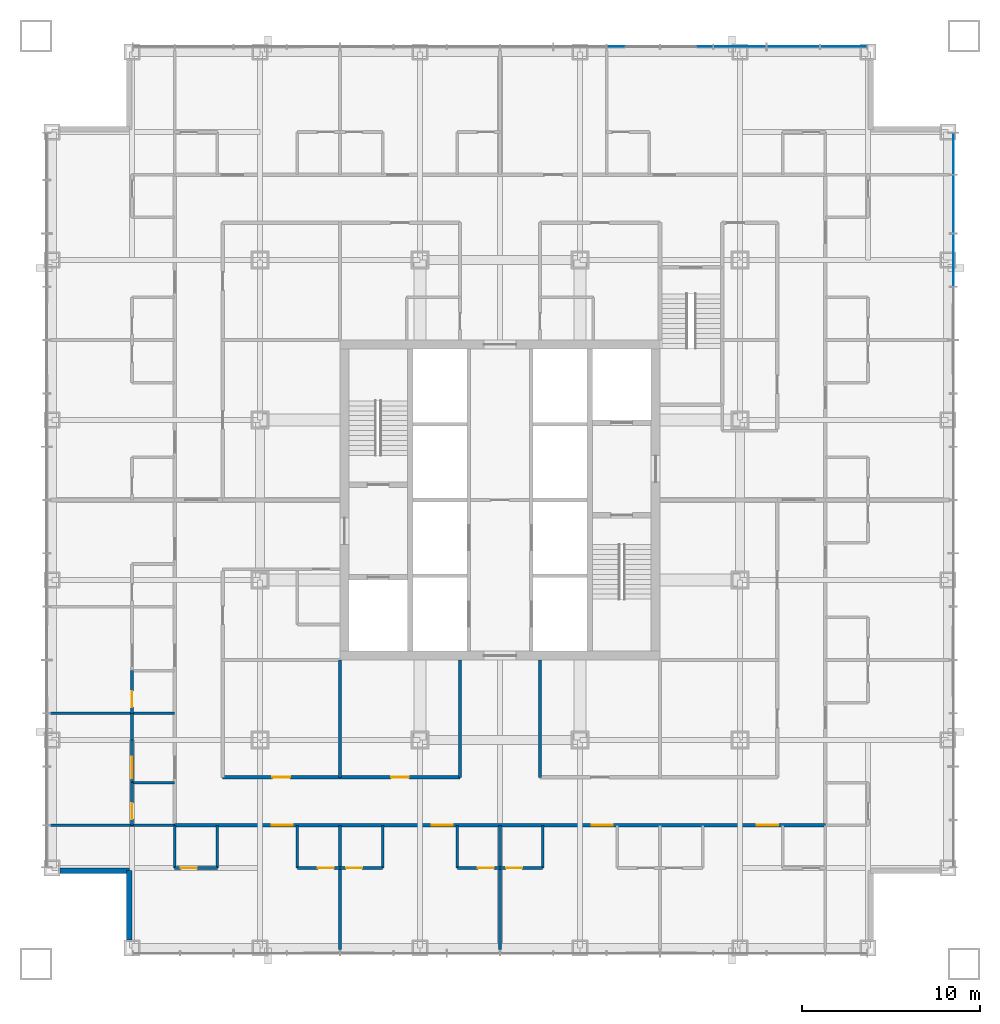
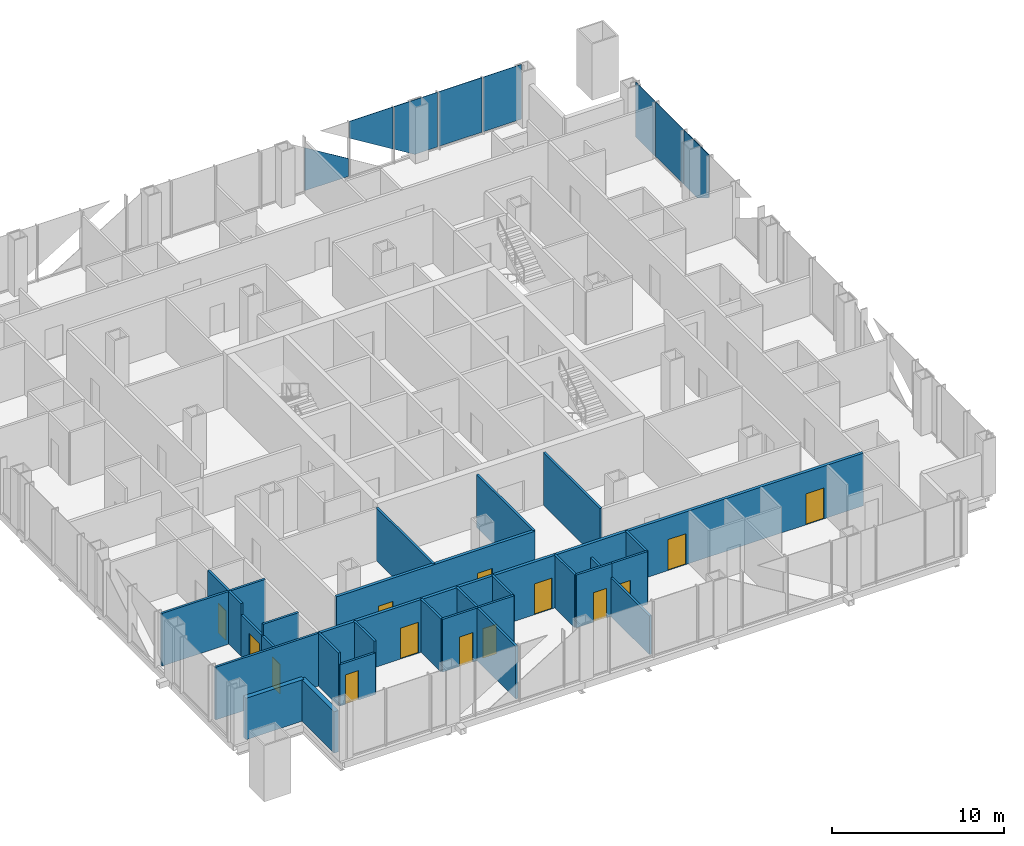
# One storey, part 7 of 13: 27 walls, 14 doors, 8 plates, 14 openings, 2 elements without a shape of their own.
"""IFC4 building model written with IfcOpenShell, lengths in metres."""

from ifc_helpers import new_model, si_unit, direction, frame, frame_2d, origin, origin_2d, place, context, subcontext, project, spatial, polyline, rectangle, outline, extrude, material, layer, layer_set, type_object, element, fill, aggregate, save


model = new_model("IFC4")

# Units and contexts
model_context = context("Model", 3, precision=1e-05, world=origin(), true_north=direction((0.0, 1.0)))
body_context = subcontext(model_context, "Body", "Model", "MODEL_VIEW")
ifc_project = project(units=[si_unit("LENGTHUNIT", "METRE"), si_unit("AREAUNIT", "SQUARE_METRE"), si_unit("VOLUMEUNIT", "CUBIC_METRE"), si_unit("PLANEANGLEUNIT", "RADIAN"), si_unit("MASSUNIT", "GRAM", prefix="KILO")], contexts=[model_context])

# Site, building, storey
site_placement = place(None, origin())
site = spatial("IfcSite", under=ifc_project, at=site_placement, CompositionType="ELEMENT")
building_placement = place(site_placement, origin())
building = spatial("IfcBuilding", under=site, at=building_placement, Name="Malebo Sky Hospital", CompositionType="ELEMENT")
storey_placement = place(building_placement, frame((0.0, 0.0, 39.0)))
storey = spatial("IfcBuildingStorey", under=building, at=storey_placement, Name="L08", CompositionType="ELEMENT", Elevation=39.0)

# Curtain wall, plates
ifc_material_1 = material(Name="Anodised aluminium, natural silver", Category="aluminium")
ifc_layer_1 = layer(ifc_material_1, 0.25)
ifc_layer_set_1 = layer_set([ifc_layer_1], Name="WARD CURTAIN WALL NORTH AND SOUTH")
curtain_wall_type_1 = type_object("IfcCurtainWallType", Name="WARD CURTAIN WALL NORTH AND SOUTH", PredefinedType="NOTDEFINED", material=ifc_layer_set_1)
curtain_wall_1_placement = place(storey_placement, origin())
curtain_wall_1 = element("IfcCurtainWall", 1, at=curtain_wall_1_placement, inside=storey, type_object=curtain_wall_type_1, Name="NS curtain wall N", PredefinedType="NOTDEFINED")
ifc_material_2 = material(Name="Clear low-iron double glazing", Category="glass")
ifc_layer_2 = layer(ifc_material_2, 0.031982421875)
ifc_layer_set_2 = layer_set([ifc_layer_2], Name="VISION PANEL CLEAR 32")
plate_type = type_object("IfcPlateType", Name="VISION PANEL CLEAR 32", PredefinedType="CURTAIN_PANEL", material=ifc_layer_set_2)
plate_1_placement = place(storey_placement, frame((67.5, 87.5, 0.10009765625), z_axis=(0.0, 0.0, 1.0), x_axis=(1.0, 0.0, 0.0)))
plate_1 = element("IfcPlate", 2, at=plate_1_placement, type_object=plate_type, Name="Panel 10", PredefinedType="CURTAIN_PANEL", context=body_context, shape_type="SweptSolid", body=[
    extrude(outline(polyline([(-1.46240234375, 0.0), (1.46240234375, 0.0), (1.46240234375, 1.272216796875), (-1.46240234375, 3.065185546875), (-1.46240234375, 0.0)])), frame((0.0, 0.01611328125, 0.0), z_axis=(0.0, -1.0, 0.0), x_axis=(1.0, 0.0, 0.0)), (0.0, 0.0, 1.0), 0.031982421875),
])
plate_2_placement = place(storey_placement, frame((70.5, 87.5, 1.00048828125), z_axis=(0.0, 0.0, 1.0), x_axis=(1.0, 0.0, 0.0)))
plate_2 = element("IfcPlate", 3, at=plate_2_placement, type_object=plate_type, Name="Panel 11", PredefinedType="CURTAIN_PANEL", context=body_context, shape_type="SweptSolid", body=[
    extrude(outline(polyline([(1.46240234375, 0.0), (1.46240234375, 2.989501953125), (-1.46240234375, 2.989501953125), (-1.46240234375, 1.793212890625), (1.46240234375, 0.0)])), frame((0.0, 0.01611328125, 0.0), z_axis=(0.0, -1.0, 0.0), x_axis=(1.0, 0.0, 0.0)), (0.0, 0.0, 1.0), 0.031982421875),
])
plate_3_placement = place(storey_placement, frame((73.5, 87.5, 0.10009765625), z_axis=(0.0, 0.0, 1.0), x_axis=(1.0, 0.0, 0.0)))
plate_3 = element("IfcPlate", 4, at=plate_3_placement, type_object=plate_type, Name="Panel 12", PredefinedType="CURTAIN_PANEL", context=body_context, shape_type="SweptSolid", body=[
    extrude(outline(polyline([(-0.068603515625, 0.0), (1.46240234375, 0.0), (1.46240234375, 3.889892578125), (-1.46240234375, 3.889892578125), (-1.46240234375, 0.8544921875), (-0.068603515625, 0.0)])), frame((0.0, 0.01611328125, 0.0), z_axis=(0.0, -1.0, 0.0), x_axis=(1.0, 0.0, 0.0)), (0.0, 0.0, 1.0), 0.031982421875),
])
plate_4_placement = place(storey_placement, frame((76.5, 87.5, 0.10009765625), z_axis=(0.0, 0.0, 1.0), x_axis=(1.0, 0.0, 0.0)))
plate_4 = element("IfcPlate", 5, at=plate_4_placement, type_object=plate_type, Name="Panel 13", PredefinedType="CURTAIN_PANEL", context=body_context, shape_type="SweptSolid", body=[
    extrude(rectangle(XDim=2.925048828125, YDim=0.031982421875, at=origin_2d()), origin(), (0.0, 0.0, 1.0), 3.889892578125),
])
plate_5_placement = place(storey_placement, frame((79.331298828125, 87.5, 0.10009765625), z_axis=(0.0, 0.0, 1.0), x_axis=(1.0, 0.0, 0.0)))
plate_5 = element("IfcPlate", 6, at=plate_5_placement, type_object=plate_type, Name="Panel 14", PredefinedType="CURTAIN_PANEL", context=body_context, shape_type="SweptSolid", body=[
    extrude(rectangle(XDim=2.58740234375, YDim=0.031982421875, at=origin_2d()), origin(), (0.0, 0.0, 1.0), 3.889892578125),
])
aggregate(curtain_wall_1, [plate_1, plate_2, plate_3, plate_4, plate_5])

ifc_layer_3 = layer(ifc_material_1, 0.25)
ifc_layer_set_3 = layer_set([ifc_layer_3], Name="WARD CURTAIN WALL EAST AND WEST")
curtain_wall_type_2 = type_object("IfcCurtainWallType", Name="WARD CURTAIN WALL EAST AND WEST", PredefinedType="NOTDEFINED", material=ifc_layer_set_3)
curtain_wall_2_placement = place(storey_placement, origin())
curtain_wall_2 = element("IfcCurtainWall", 7, at=curtain_wall_2_placement, inside=storey, type_object=curtain_wall_type_2, Name="EW curtain wall E", PredefinedType="NOTDEFINED")
plate_6_placement = place(storey_placement, frame((85.5, 81.481201171875, 0.10009765625), z_axis=(0.0, 0.0, 1.0), x_axis=(0.0, -1.0, 0.0)))
plate_6 = element("IfcPlate", 8, at=plate_6_placement, type_object=plate_type, Name="Panel 1", PredefinedType="CURTAIN_PANEL", context=body_context, shape_type="SweptSolid", body=[
    extrude(rectangle(XDim=2.28759765625, YDim=0.031982421875, at=origin_2d()), origin(), (0.0, 0.0, 1.0), 3.889892578125),
])
plate_7_placement = place(storey_placement, frame((85.5, 78.64990234375, 0.10009765625), z_axis=(0.0, 0.0, 1.0), x_axis=(0.0, -1.0, 0.0)))
plate_7 = element("IfcPlate", 9, at=plate_7_placement, type_object=plate_type, Name="Panel 2", PredefinedType="CURTAIN_PANEL", context=body_context, shape_type="SweptSolid", body=[
    extrude(rectangle(XDim=3.22509765625, YDim=0.031982421875, at=origin_2d()), origin(), (0.0, 0.0, 1.0), 3.889892578125),
])
plate_8_placement = place(storey_placement, frame((85.5, 75.5, 0.10009765625), z_axis=(0.0, 0.0, 1.0), x_axis=(0.0, -1.0, 0.0)))
plate_8 = element("IfcPlate", 10, at=plate_8_placement, type_object=plate_type, Name="Panel 3", PredefinedType="CURTAIN_PANEL", context=body_context, shape_type="SweptSolid", body=[
    extrude(outline(polyline([(-1.46240234375, 0.0), (0.068603515625, 0.0), (1.46240234375, 0.8544921875), (1.46240234375, 3.889892578125), (-1.46240234375, 3.889892578125), (-1.46240234375, 0.0)])), frame((0.0, 0.01611328125, 0.0), z_axis=(0.0, -1.0, 0.0), x_axis=(1.0, 0.0, 0.0)), (0.0, 0.0, 1.0), 0.031982421875),
])
aggregate(curtain_wall_2, [plate_6, plate_7, plate_8])

# Wall, openings, doors
ifc_material_3 = material(Name="Gypsum board on steel studs", Category="steel")
ifc_layer_4 = layer(ifc_material_3, 0.199951171875)
ifc_layer_set_4 = layer_set([ifc_layer_4], Name="CORRIDOR WALL 200")
wall_type_1 = type_object("IfcWallType", Name="CORRIDOR WALL 200", PredefinedType="PARTITIONING", material=ifc_layer_set_4)
wall_1_placement = place(storey_placement, frame((78.300048828125, 43.699951171875, 0.0), z_axis=(0.0, 0.0, 1.0), x_axis=(-1.0, 0.0, 0.0)))
wall_1 = element("IfcWall", 11, at=wall_1_placement, inside=storey, type_object=wall_type_1, Name="Corridor Wall 200 SCO", PredefinedType="PARTITIONING", context=body_context, shape_type="SweptSolid", body=[
    extrude(rectangle(XDim=36.60009765625, YDim=0.199951171875, at=frame_2d((18.300048828125, 0.0))), origin(), (0.0, 0.0, 1.0), 3.75),
])
opening_1_placement = place(wall_1_placement, frame((2.64990234375, 0.0, 0.0)))
opening_1 = element("IfcOpeningElement", 12, at=opening_1_placement, cuts=wall_1, Name="Opening D01", PredefinedType="OPENING", context=body_context, shape_type="SweptSolid", body=[
    extrude(rectangle(XDim=1.199951171875, YDim=2.199951171875, at=frame_2d((0.60009765625, 1.10009765625))), frame((0.0, 0.10986328125, 0.0), z_axis=(0.0, -1.0, 0.0), x_axis=(1.0, 0.0, 0.0)), (0.0, 0.0, 1.0), 0.219970703125),
])
opening_2_placement = place(wall_1_placement, frame((11.949951171875, 0.0, 0.0)))
opening_2 = element("IfcOpeningElement", 13, at=opening_2_placement, cuts=wall_1, Name="Opening D01", PredefinedType="OPENING", context=body_context, shape_type="SweptSolid", body=[
    extrude(rectangle(XDim=1.199951171875, YDim=2.199951171875, at=frame_2d((0.60009765625, 1.10009765625))), frame((0.0, 0.10986328125, 0.0), z_axis=(0.0, -1.0, 0.0), x_axis=(1.0, 0.0, 0.0)), (0.0, 0.0, 1.0), 0.219970703125),
])
opening_3_placement = place(wall_1_placement, frame((20.949951171875, 0.0, 0.0)))
opening_3 = element("IfcOpeningElement", 14, at=opening_3_placement, cuts=wall_1, Name="Opening D01", PredefinedType="OPENING", context=body_context, shape_type="SweptSolid", body=[
    extrude(rectangle(XDim=1.199951171875, YDim=2.199951171875, at=frame_2d((0.60009765625, 1.10009765625))), frame((0.0, 0.10986328125, 0.0), z_axis=(0.0, -1.0, 0.0), x_axis=(1.0, 0.0, 0.0)), (0.0, 0.0, 1.0), 0.219970703125),
])
opening_4_placement = place(wall_1_placement, frame((29.949951171875, 0.0, 0.0)))
opening_4 = element("IfcOpeningElement", 15, at=opening_4_placement, cuts=wall_1, Name="Opening D01", PredefinedType="OPENING", context=body_context, shape_type="SweptSolid", body=[
    extrude(rectangle(XDim=1.199951171875, YDim=2.199951171875, at=frame_2d((0.60009765625, 1.10009765625))), frame((0.0, 0.10986328125, 0.0), z_axis=(0.0, -1.0, 0.0), x_axis=(1.0, 0.0, 0.0)), (0.0, 0.0, 1.0), 0.219970703125),
])
ifc_material_4 = material(Name="Hardwood-faced door leaf in steel frame", Category="steel")
door_type_1 = type_object("IfcDoorType", Name="BED DOOR 1200", OperationType="SINGLE_SWING_LEFT", PredefinedType="DOOR", material=ifc_material_4)
door_1_placement = place(opening_1_placement, origin())
door_1 = element("IfcDoor", 16, at=door_1_placement, inside=storey, type_object=door_type_1, Name="Four-bed bay door", OperationType="SINGLE_SWING_LEFT", OverallHeight=2.199951171875, OverallWidth=1.199951171875, PredefinedType="DOOR", context=body_context, shape_type="SweptSolid", body=[
    extrude(rectangle(XDim=1.199951171875, YDim=2.199951171875, at=frame_2d((0.60009765625, 1.10009765625))), frame((0.0, 0.02490234375, 0.0), z_axis=(0.0, -1.0, 0.0), x_axis=(1.0, 0.0, 0.0)), (0.0, 0.0, 1.0), 0.050048828125),
])
fill(opening_1, door_1)
door_2_placement = place(opening_2_placement, origin())
door_2 = element("IfcDoor", 17, at=door_2_placement, inside=storey, type_object=door_type_1, Name="Four-bed bay door", OperationType="SINGLE_SWING_LEFT", OverallHeight=2.199951171875, OverallWidth=1.199951171875, PredefinedType="DOOR", context=body_context, shape_type="SweptSolid", body=[
    extrude(rectangle(XDim=1.199951171875, YDim=2.199951171875, at=frame_2d((0.60009765625, 1.10009765625))), frame((0.0, 0.02490234375, 0.0), z_axis=(0.0, -1.0, 0.0), x_axis=(1.0, 0.0, 0.0)), (0.0, 0.0, 1.0), 0.050048828125),
])
fill(opening_2, door_2)
door_3_placement = place(opening_3_placement, origin())
door_3 = element("IfcDoor", 18, at=door_3_placement, inside=storey, type_object=door_type_1, Name="Four-bed bay door", OperationType="SINGLE_SWING_LEFT", OverallHeight=2.199951171875, OverallWidth=1.199951171875, PredefinedType="DOOR", context=body_context, shape_type="SweptSolid", body=[
    extrude(rectangle(XDim=1.199951171875, YDim=2.199951171875, at=frame_2d((0.60009765625, 1.10009765625))), frame((0.0, 0.02490234375, 0.0), z_axis=(0.0, -1.0, 0.0), x_axis=(1.0, 0.0, 0.0)), (0.0, 0.0, 1.0), 0.050048828125),
])
fill(opening_3, door_3)
door_4_placement = place(opening_4_placement, origin())
door_4 = element("IfcDoor", 19, at=door_4_placement, inside=storey, type_object=door_type_1, Name="Four-bed bay door", OperationType="SINGLE_SWING_LEFT", OverallHeight=2.199951171875, OverallWidth=1.199951171875, PredefinedType="DOOR", context=body_context, shape_type="SweptSolid", body=[
    extrude(rectangle(XDim=1.199951171875, YDim=2.199951171875, at=frame_2d((0.60009765625, 1.10009765625))), frame((0.0, 0.02490234375, 0.0), z_axis=(0.0, -1.0, 0.0), x_axis=(1.0, 0.0, 0.0)), (0.0, 0.0, 1.0), 0.050048828125),
])
fill(opening_4, door_4)

wall_2_placement = place(storey_placement, frame((57.75, 46.39990234375, 0.0), z_axis=(0.0, 0.0, 1.0), x_axis=(-1.0, 0.0, 0.0)))
wall_2 = element("IfcWall", 20, at=wall_2_placement, inside=storey, type_object=wall_type_1, Name="Corridor Wall 200 SCI2", PredefinedType="PARTITIONING", context=body_context, shape_type="SweptSolid", body=[
    extrude(rectangle(XDim=13.35009765625, YDim=0.199951171875, at=frame_2d((6.675048828125, 0.0))), origin(), (0.0, 0.0, 1.0), 3.75),
])
opening_5_placement = place(wall_2_placement, frame((2.875, 0.0, 0.0)))
opening_5 = element("IfcOpeningElement", 21, at=opening_5_placement, cuts=wall_2, Name="Opening D03", PredefinedType="OPENING", context=body_context, shape_type="SweptSolid", body=[
    extrude(rectangle(XDim=1.0, YDim=2.10009765625, at=frame_2d((0.5, 1.050048828125))), frame((0.0, 0.10986328125, 0.0), z_axis=(0.0, -1.0, 0.0), x_axis=(1.0, 0.0, 0.0)), (0.0, 0.0, 1.0), 0.219970703125),
])
opening_6_placement = place(wall_2_placement, frame((9.550048828125, 0.0, 0.0)))
opening_6 = element("IfcOpeningElement", 22, at=opening_6_placement, cuts=wall_2, Name="Opening D03", PredefinedType="OPENING", context=body_context, shape_type="SweptSolid", body=[
    extrude(rectangle(XDim=1.0, YDim=2.10009765625, at=frame_2d((0.5, 1.050048828125))), frame((0.0, 0.10986328125, 0.0), z_axis=(0.0, -1.0, 0.0), x_axis=(1.0, 0.0, 0.0)), (0.0, 0.0, 1.0), 0.219970703125),
])
door_type_2 = type_object("IfcDoorType", Name="ROOM DOOR 1000", OperationType="SINGLE_SWING_LEFT", PredefinedType="DOOR", material=ifc_material_4)
door_5_placement = place(opening_5_placement, origin())
door_5 = element("IfcDoor", 23, at=door_5_placement, inside=storey, type_object=door_type_2, Name="Ward pantry door", OperationType="SINGLE_SWING_LEFT", OverallHeight=2.10009765625, OverallWidth=1.0, PredefinedType="DOOR", context=body_context, shape_type="SweptSolid", body=[
    extrude(rectangle(XDim=1.0, YDim=2.10009765625, at=frame_2d((0.5, 1.050048828125))), frame((0.0, 0.02490234375, 0.0), z_axis=(0.0, -1.0, 0.0), x_axis=(1.0, 0.0, 0.0)), (0.0, 0.0, 1.0), 0.050048828125),
])
fill(opening_5, door_5)
door_6_placement = place(opening_6_placement, origin())
door_6 = element("IfcDoor", 24, at=door_6_placement, inside=storey, type_object=door_type_2, Name="Clean utility room door", OperationType="SINGLE_SWING_RIGHT", OverallHeight=2.10009765625, OverallWidth=1.0, PredefinedType="DOOR", context=body_context, shape_type="SweptSolid", body=[
    extrude(rectangle(XDim=1.0, YDim=2.10009765625, at=frame_2d((0.5, 1.050048828125))), frame((0.0, 0.02490234375, 0.0), z_axis=(0.0, -1.0, 0.0), x_axis=(1.0, 0.0, 0.0)), (0.0, 0.0, 1.0), 0.050048828125),
])
fill(opening_6, door_6)

# Walls
ifc_material_5 = material(Name="Anodised aluminium rainscreen on steel framing", Category="steel")
ifc_layer_5 = layer(ifc_material_5, 0.300048828125)
ifc_layer_set_5 = layer_set([ifc_layer_5], Name="NOTCH RAINSCREEN WALL 300")
wall_type_2 = type_object("IfcWallType", Name="NOTCH RAINSCREEN WALL 300", PredefinedType="ELEMENTEDWALL", material=ifc_layer_set_5)
for number, where, z_axis, x_axis, name in (
    (25, (39.14990234375, 37.25, 0.0), (0.0, 0.0, 1.0), (0.0, 1.0, 0.0), "Notch rainscreen wall S1 L08"),
    (26, (39.14990234375, 41.14990234375, 0.0), (0.0, 0.0, 1.0), (-1.0, 0.0, 0.0), "Notch rainscreen wall S2 L08"),
):
    element("IfcWall", number, at=place(storey_placement, frame(where, z_axis=z_axis, x_axis=x_axis)), inside=storey, type_object=wall_type_2, Name=name, PredefinedType="ELEMENTEDWALL", context=body_context, shape_type="SweptSolid", body=[
        extrude(rectangle(XDim=3.89990234375, YDim=0.300048828125, at=frame_2d((1.949951171875, 0.0))), origin(), (0.0, 0.0, 1.0), 2.949951171875),
    ])
ifc_layer_6 = layer(ifc_material_3, 0.14990234375)
ifc_layer_set_6 = layer_set([ifc_layer_6], Name="PARTITION 150")
wall_type_3 = type_object("IfcWallType", Name="PARTITION 150", PredefinedType="PARTITIONING", material=ifc_layer_set_6)
for number, where, z_axis, x_axis, name in (
    (27, (41.699951171875, 50.0, 0.0), (0.0, 0.0, 1.0), (-1.0, 0.0, 0.0), "Partition 150 WP-12.0"),
    (28, (41.699951171875, 43.699951171875, 0.0), (0.0, 0.0, 1.0), (-1.0, 0.0, 0.0), "Partition 150 WP0"),
):
    element("IfcWall", number, at=place(storey_placement, frame(where, z_axis=z_axis, x_axis=x_axis)), inside=storey, type_object=wall_type_3, Name=name, PredefinedType="PARTITIONING", context=body_context, shape_type="SweptSolid", body=[
        extrude(rectangle(XDim=6.974853515625, YDim=0.14990234375, at=frame_2d((3.4873046875, 0.0))), origin(), (0.0, 0.0, 1.0), 3.75),
    ])

# Wall, opening, door
wall_3_placement = place(storey_placement, frame((39.300048828125, 43.699951171875, 0.0), z_axis=(0.0, 0.0, 1.0), x_axis=(0.0, 1.0, 0.0)))
wall_3 = element("IfcWall", 29, at=wall_3_placement, inside=storey, type_object=wall_type_3, Name="Partition 150 WE0F", PredefinedType="PARTITIONING", context=body_context, shape_type="SweptSolid", body=[
    extrude(rectangle(XDim=2.400146484375, YDim=0.14990234375, at=frame_2d((1.2001953125, 0.0))), origin(), (0.0, 0.0, 1.0), 2.949951171875),
])
opening_7_placement = place(wall_3_placement, frame((0.35009765625, 0.0, 0.0)))
opening_7 = element("IfcOpeningElement", 30, at=opening_7_placement, cuts=wall_3, Name="Opening D02", PredefinedType="OPENING", context=body_context, shape_type="SweptSolid", body=[
    extrude(rectangle(XDim=0.89990234375, YDim=2.10009765625, at=frame_2d((0.449951171875, 1.050048828125))), frame((0.0, 0.0849609375, 0.0), z_axis=(0.0, -1.0, 0.0), x_axis=(1.0, 0.0, 0.0)), (0.0, 0.0, 1.0), 0.169921875),
])
door_type_3 = type_object("IfcDoorType", Name="EN-SUITE DOOR 900", OperationType="SINGLE_SWING_LEFT", PredefinedType="DOOR", material=ifc_material_4)
door_7_placement = place(opening_7_placement, origin())
door_7 = element("IfcDoor", 31, at=door_7_placement, inside=storey, type_object=door_type_3, Name="En-suite door", OperationType="SINGLE_SWING_LEFT", OverallHeight=2.10009765625, OverallWidth=0.89990234375, PredefinedType="DOOR", context=body_context, shape_type="SweptSolid", body=[
    extrude(rectangle(XDim=0.89990234375, YDim=2.10009765625, at=frame_2d((0.449951171875, 1.050048828125))), frame((0.0, 0.02490234375, 0.0), z_axis=(0.0, -1.0, 0.0), x_axis=(1.0, 0.0, 0.0)), (0.0, 0.0, 1.0), 0.050048828125),
])
fill(opening_7, door_7)

# Wall
wall_4_placement = place(storey_placement, frame((41.699951171875, 46.10009765625, 0.0), z_axis=(0.0, 0.0, 1.0), x_axis=(-1.0, 0.0, 0.0)))
element("IfcWall", 32, at=wall_4_placement, inside=storey, type_object=wall_type_3, Name="Partition 150 WE0S", PredefinedType="PARTITIONING", context=body_context, shape_type="SweptSolid", body=[
    extrude(rectangle(XDim=2.39990234375, YDim=0.14990234375, at=frame_2d((1.199951171875, 0.0))), origin(), (0.0, 0.0, 1.0), 3.75),
])

# Wall, opening, door
wall_5_placement = place(storey_placement, frame((39.300048828125, 50.0, 0.0), z_axis=(0.0, 0.0, 1.0), x_axis=(0.0, 1.0, 0.0)))
wall_5 = element("IfcWall", 33, at=wall_5_placement, inside=storey, type_object=wall_type_3, Name="Partition 150 WE1F", PredefinedType="PARTITIONING", context=body_context, shape_type="SweptSolid", body=[
    extrude(rectangle(XDim=2.39990234375, YDim=0.14990234375, at=frame_2d((1.199951171875, 0.0))), origin(), (0.0, 0.0, 1.0), 3.75),
])
opening_8_placement = place(wall_5_placement, frame((0.35009765625, 0.0, 0.0)))
opening_8 = element("IfcOpeningElement", 34, at=opening_8_placement, cuts=wall_5, Name="Opening D02", PredefinedType="OPENING", context=body_context, shape_type="SweptSolid", body=[
    extrude(rectangle(XDim=0.89990234375, YDim=2.10009765625, at=frame_2d((0.449951171875, 1.050048828125))), frame((0.0, 0.0849609375, 0.0), z_axis=(0.0, -1.0, 0.0), x_axis=(1.0, 0.0, 0.0)), (0.0, 0.0, 1.0), 0.169921875),
])
door_8_placement = place(opening_8_placement, origin())
door_8 = element("IfcDoor", 35, at=door_8_placement, inside=storey, type_object=door_type_3, Name="En-suite door", OperationType="SINGLE_SWING_LEFT", OverallHeight=2.10009765625, OverallWidth=0.89990234375, PredefinedType="DOOR", context=body_context, shape_type="SweptSolid", body=[
    extrude(rectangle(XDim=0.89990234375, YDim=2.10009765625, at=frame_2d((0.449951171875, 1.050048828125))), frame((0.0, 0.02490234375, 0.0), z_axis=(0.0, -1.0, 0.0), x_axis=(1.0, 0.0, 0.0)), (0.0, 0.0, 1.0), 0.050048828125),
])
fill(opening_8, door_8)

# Walls
wall_6_placement = place(storey_placement, frame((60.0, 43.699951171875, 0.0), z_axis=(0.0, 0.0, 1.0), x_axis=(0.0, -1.0, 0.0)))
element("IfcWall", 36, at=wall_6_placement, inside=storey, type_object=wall_type_3, Name="Partition 150 SP+0.0", PredefinedType="PARTITIONING", context=body_context, shape_type="SweptSolid", body=[
    extrude(rectangle(XDim=6.974853515625, YDim=0.14990234375, at=frame_2d((3.4873046875, 0.0))), origin(), (0.0, 0.0, 1.0), 2.75),
])
wall_7_placement = place(storey_placement, frame((51.0, 43.699951171875, 0.0), z_axis=(0.0, 0.0, 1.0), x_axis=(0.0, -1.0, 0.0)))
element("IfcWall", 37, at=wall_7_placement, inside=storey, type_object=wall_type_3, Name="Partition 150 SP+9.0", PredefinedType="PARTITIONING", context=body_context, shape_type="SweptSolid", body=[
    extrude(rectangle(XDim=6.974853515625, YDim=0.14990234375, at=frame_2d((3.4873046875, 0.0))), origin(), (0.0, 0.0, 1.0), 3.75),
])

# Wall, opening, door
wall_8_placement = place(storey_placement, frame((62.39990234375, 41.300048828125, 0.0), z_axis=(0.0, 0.0, 1.0), x_axis=(-1.0, 0.0, 0.0)))
wall_8 = element("IfcWall", 38, at=wall_8_placement, inside=storey, type_object=wall_type_3, Name="Partition 150 SG1F", PredefinedType="PARTITIONING", context=body_context, shape_type="SweptSolid", body=[
    extrude(rectangle(XDim=2.39990234375, YDim=0.14990234375, at=frame_2d((1.199951171875, 0.0))), origin(), (0.0, 0.0, 1.0), 3.75),
])
opening_9_placement = place(wall_8_placement, frame((1.14990234375, 0.0, 0.0)))
opening_9 = element("IfcOpeningElement", 39, at=opening_9_placement, cuts=wall_8, Name="Opening D02", PredefinedType="OPENING", context=body_context, shape_type="SweptSolid", body=[
    extrude(rectangle(XDim=0.89990234375, YDim=2.10009765625, at=frame_2d((0.449951171875, 1.050048828125))), frame((0.0, 0.0849609375, 0.0), z_axis=(0.0, -1.0, 0.0), x_axis=(1.0, 0.0, 0.0)), (0.0, 0.0, 1.0), 0.169921875),
])
door_9_placement = place(opening_9_placement, origin())
door_9 = element("IfcDoor", 40, at=door_9_placement, inside=storey, type_object=door_type_3, Name="En-suite door", OperationType="SINGLE_SWING_RIGHT", OverallHeight=2.10009765625, OverallWidth=0.89990234375, PredefinedType="DOOR", context=body_context, shape_type="SweptSolid", body=[
    extrude(rectangle(XDim=0.89990234375, YDim=2.10009765625, at=frame_2d((0.449951171875, 1.050048828125))), frame((0.0, 0.02490234375, 0.0), z_axis=(0.0, -1.0, 0.0), x_axis=(1.0, 0.0, 0.0)), (0.0, 0.0, 1.0), 0.050048828125),
])
fill(opening_9, door_9)

# Wall
wall_9_placement = place(storey_placement, frame((62.39990234375, 43.699951171875, 0.0), z_axis=(0.0, 0.0, 1.0), x_axis=(0.0, -1.0, 0.0)))
element("IfcWall", 41, at=wall_9_placement, inside=storey, type_object=wall_type_3, Name="Partition 150 SG1S", PredefinedType="PARTITIONING", context=body_context, shape_type="SweptSolid", body=[
    extrude(rectangle(XDim=2.39990234375, YDim=0.14990234375, at=frame_2d((1.199951171875, 0.0))), origin(), (0.0, 0.0, 1.0), 3.75),
])

# Wall, opening, door
wall_10_placement = place(storey_placement, frame((60.0, 41.300048828125, 0.0), z_axis=(0.0, 0.0, 1.0), x_axis=(-1.0, 0.0, 0.0)))
wall_10 = element("IfcWall", 42, at=wall_10_placement, inside=storey, type_object=wall_type_3, Name="Partition 150 SE2F", PredefinedType="PARTITIONING", context=body_context, shape_type="SweptSolid", body=[
    extrude(rectangle(XDim=2.39990234375, YDim=0.14990234375, at=frame_2d((1.199951171875, 0.0))), origin(), (0.0, 0.0, 1.0), 3.75),
])
opening_10_placement = place(wall_10_placement, frame((0.35009765625, 0.0, 0.0)))
opening_10 = element("IfcOpeningElement", 43, at=opening_10_placement, cuts=wall_10, Name="Opening D02", PredefinedType="OPENING", context=body_context, shape_type="SweptSolid", body=[
    extrude(rectangle(XDim=0.89990234375, YDim=2.10009765625, at=frame_2d((0.449951171875, 1.050048828125))), frame((0.0, 0.0849609375, 0.0), z_axis=(0.0, -1.0, 0.0), x_axis=(1.0, 0.0, 0.0)), (0.0, 0.0, 1.0), 0.169921875),
])
door_10_placement = place(opening_10_placement, origin())
door_10 = element("IfcDoor", 44, at=door_10_placement, inside=storey, type_object=door_type_3, Name="En-suite door", OperationType="SINGLE_SWING_LEFT", OverallHeight=2.10009765625, OverallWidth=0.89990234375, PredefinedType="DOOR", context=body_context, shape_type="SweptSolid", body=[
    extrude(rectangle(XDim=0.89990234375, YDim=2.10009765625, at=frame_2d((0.449951171875, 1.050048828125))), frame((0.0, 0.02490234375, 0.0), z_axis=(0.0, -1.0, 0.0), x_axis=(1.0, 0.0, 0.0)), (0.0, 0.0, 1.0), 0.050048828125),
])
fill(opening_10, door_10)

# Wall
wall_11_placement = place(storey_placement, frame((57.60009765625, 43.699951171875, 0.0), z_axis=(0.0, 0.0, 1.0), x_axis=(0.0, -1.0, 0.0)))
element("IfcWall", 45, at=wall_11_placement, inside=storey, type_object=wall_type_3, Name="Partition 150 SE2S", PredefinedType="PARTITIONING", context=body_context, shape_type="SweptSolid", body=[
    extrude(rectangle(XDim=2.39990234375, YDim=0.14990234375, at=frame_2d((1.199951171875, 0.0))), origin(), (0.0, 0.0, 1.0), 3.75),
])

# Wall, opening, door
wall_12_placement = place(storey_placement, frame((53.39990234375, 41.300048828125, 0.0), z_axis=(0.0, 0.0, 1.0), x_axis=(-1.0, 0.0, 0.0)))
wall_12 = element("IfcWall", 46, at=wall_12_placement, inside=storey, type_object=wall_type_3, Name="Partition 150 SG2F", PredefinedType="PARTITIONING", context=body_context, shape_type="SweptSolid", body=[
    extrude(rectangle(XDim=2.39990234375, YDim=0.14990234375, at=frame_2d((1.199951171875, 0.0))), origin(), (0.0, 0.0, 1.0), 3.75),
])
opening_11_placement = place(wall_12_placement, frame((1.14990234375, 0.0, 0.0)))
opening_11 = element("IfcOpeningElement", 47, at=opening_11_placement, cuts=wall_12, Name="Opening D02", PredefinedType="OPENING", context=body_context, shape_type="SweptSolid", body=[
    extrude(rectangle(XDim=0.89990234375, YDim=2.10009765625, at=frame_2d((0.449951171875, 1.050048828125))), frame((0.0, 0.0849609375, 0.0), z_axis=(0.0, -1.0, 0.0), x_axis=(1.0, 0.0, 0.0)), (0.0, 0.0, 1.0), 0.169921875),
])
door_11_placement = place(opening_11_placement, origin())
door_11 = element("IfcDoor", 48, at=door_11_placement, inside=storey, type_object=door_type_3, Name="En-suite door", OperationType="SINGLE_SWING_RIGHT", OverallHeight=2.10009765625, OverallWidth=0.89990234375, PredefinedType="DOOR", context=body_context, shape_type="SweptSolid", body=[
    extrude(rectangle(XDim=0.89990234375, YDim=2.10009765625, at=frame_2d((0.449951171875, 1.050048828125))), frame((0.0, 0.02490234375, 0.0), z_axis=(0.0, -1.0, 0.0), x_axis=(1.0, 0.0, 0.0)), (0.0, 0.0, 1.0), 0.050048828125),
])
fill(opening_11, door_11)

# Wall
wall_13_placement = place(storey_placement, frame((53.39990234375, 43.699951171875, 0.0), z_axis=(0.0, 0.0, 1.0), x_axis=(0.0, -1.0, 0.0)))
element("IfcWall", 49, at=wall_13_placement, inside=storey, type_object=wall_type_3, Name="Partition 150 SG2S", PredefinedType="PARTITIONING", context=body_context, shape_type="SweptSolid", body=[
    extrude(rectangle(XDim=2.39990234375, YDim=0.14990234375, at=frame_2d((1.199951171875, 0.0))), origin(), (0.0, 0.0, 1.0), 3.75),
])

# Wall, opening, door
wall_14_placement = place(storey_placement, frame((51.0, 41.300048828125, 0.0), z_axis=(0.0, 0.0, 1.0), x_axis=(-1.0, 0.0, 0.0)))
wall_14 = element("IfcWall", 50, at=wall_14_placement, inside=storey, type_object=wall_type_3, Name="Partition 150 SE3F", PredefinedType="PARTITIONING", context=body_context, shape_type="SweptSolid", body=[
    extrude(rectangle(XDim=2.39990234375, YDim=0.14990234375, at=frame_2d((1.199951171875, 0.0))), origin(), (0.0, 0.0, 1.0), 3.75),
])
opening_12_placement = place(wall_14_placement, frame((0.35009765625, 0.0, 0.0)))
opening_12 = element("IfcOpeningElement", 51, at=opening_12_placement, cuts=wall_14, Name="Opening D02", PredefinedType="OPENING", context=body_context, shape_type="SweptSolid", body=[
    extrude(rectangle(XDim=0.89990234375, YDim=2.10009765625, at=frame_2d((0.449951171875, 1.050048828125))), frame((0.0, 0.0849609375, 0.0), z_axis=(0.0, -1.0, 0.0), x_axis=(1.0, 0.0, 0.0)), (0.0, 0.0, 1.0), 0.169921875),
])
door_12_placement = place(opening_12_placement, origin())
door_12 = element("IfcDoor", 52, at=door_12_placement, inside=storey, type_object=door_type_3, Name="En-suite door", OperationType="SINGLE_SWING_LEFT", OverallHeight=2.10009765625, OverallWidth=0.89990234375, PredefinedType="DOOR", context=body_context, shape_type="SweptSolid", body=[
    extrude(rectangle(XDim=0.89990234375, YDim=2.10009765625, at=frame_2d((0.449951171875, 1.050048828125))), frame((0.0, 0.02490234375, 0.0), z_axis=(0.0, -1.0, 0.0), x_axis=(1.0, 0.0, 0.0)), (0.0, 0.0, 1.0), 0.050048828125),
])
fill(opening_12, door_12)

# Wall
wall_15_placement = place(storey_placement, frame((48.60009765625, 43.699951171875, 0.0), z_axis=(0.0, 0.0, 1.0), x_axis=(0.0, -1.0, 0.0)))
element("IfcWall", 53, at=wall_15_placement, inside=storey, type_object=wall_type_3, Name="Partition 150 SE3S", PredefinedType="PARTITIONING", context=body_context, shape_type="SweptSolid", body=[
    extrude(rectangle(XDim=2.39990234375, YDim=0.14990234375, at=frame_2d((1.199951171875, 0.0))), origin(), (0.0, 0.0, 1.0), 3.75),
])

# Wall, opening, door
wall_16_placement = place(storey_placement, frame((44.10009765625, 41.300048828125, 0.0), z_axis=(0.0, 0.0, 1.0), x_axis=(-1.0, 0.0, 0.0)))
wall_16 = element("IfcWall", 54, at=wall_16_placement, inside=storey, type_object=wall_type_3, Name="Partition 150 SG3F", PredefinedType="PARTITIONING", context=body_context, shape_type="SweptSolid", body=[
    extrude(rectangle(XDim=2.400146484375, YDim=0.14990234375, at=frame_2d((1.2001953125, 0.0))), origin(), (0.0, 0.0, 1.0), 2.949951171875),
])
opening_13_placement = place(wall_16_placement, frame((1.14990234375, 0.0, 0.0)))
opening_13 = element("IfcOpeningElement", 55, at=opening_13_placement, cuts=wall_16, Name="Opening D02", PredefinedType="OPENING", context=body_context, shape_type="SweptSolid", body=[
    extrude(rectangle(XDim=0.89990234375, YDim=2.10009765625, at=frame_2d((0.449951171875, 1.050048828125))), frame((0.0, 0.0849609375, 0.0), z_axis=(0.0, -1.0, 0.0), x_axis=(1.0, 0.0, 0.0)), (0.0, 0.0, 1.0), 0.169921875),
])
door_13_placement = place(opening_13_placement, origin())
door_13 = element("IfcDoor", 56, at=door_13_placement, inside=storey, type_object=door_type_3, Name="En-suite door", OperationType="SINGLE_SWING_RIGHT", OverallHeight=2.10009765625, OverallWidth=0.89990234375, PredefinedType="DOOR", context=body_context, shape_type="SweptSolid", body=[
    extrude(rectangle(XDim=0.89990234375, YDim=2.10009765625, at=frame_2d((0.449951171875, 1.050048828125))), frame((0.0, 0.02490234375, 0.0), z_axis=(0.0, -1.0, 0.0), x_axis=(1.0, 0.0, 0.0)), (0.0, 0.0, 1.0), 0.050048828125),
])
fill(opening_13, door_13)

# Walls
for number, where, z_axis, x_axis, name in (
    (57, (44.10009765625, 43.699951171875, 0.0), (0.0, 0.0, 1.0), (0.0, -1.0, 0.0), "Partition 150 SG3S"),
    (58, (41.699951171875, 43.699951171875, 0.0), (0.0, 0.0, 1.0), (0.0, -1.0, 0.0), "Partition 150 SEZ"),
):
    element("IfcWall", number, at=place(storey_placement, frame(where, z_axis=z_axis, x_axis=x_axis)), inside=storey, type_object=wall_type_3, Name=name, PredefinedType="PARTITIONING", context=body_context, shape_type="SweptSolid", body=[
        extrude(rectangle(XDim=2.39990234375, YDim=0.14990234375, at=frame_2d((1.199951171875, 0.0))), origin(), (0.0, 0.0, 1.0), 3.75),
    ])
for number, where, z_axis, x_axis, name in (
    (59, (62.25, 53.0, 0.0), (0.0, 0.0, 1.0), (0.0, -1.0, 0.0), "Partition 150 SSPA"),
    (60, (57.75, 53.0, 0.0), (0.0, 0.0, 1.0), (0.0, -1.0, 0.0), "Partition 150 SSPB"),
    (61, (51.0, 53.0, 0.0), (0.0, 0.0, 1.0), (0.0, -1.0, 0.0), "Partition 150 SSP+9.0"),
):
    element("IfcWall", number, at=place(storey_placement, frame(where, z_axis=z_axis, x_axis=x_axis)), inside=storey, type_object=wall_type_3, Name=name, PredefinedType="PARTITIONING", context=body_context, shape_type="SweptSolid", body=[
        extrude(rectangle(XDim=6.60009765625, YDim=0.14990234375, at=frame_2d((3.300048828125, 0.0))), origin(), (0.0, 0.0, 1.0), 3.75),
    ])

# Wall, opening, door
ifc_material_6 = material(Name="Sealed gypsum board on steel studs, taped to the slab", Category="steel")
ifc_layer_7 = layer(ifc_material_6, 0.14990234375)
ifc_layer_set_7 = layer_set([ifc_layer_7], Name="SEALED ISOLATION PARTITION 150")
wall_type_4 = type_object("IfcWallType", Name="SEALED ISOLATION PARTITION 150", PredefinedType="PARTITIONING", material=ifc_layer_set_7)
wall_17_placement = place(storey_placement, frame((39.300048828125, 46.10009765625, 0.0), z_axis=(0.0, 0.0, 1.0), x_axis=(0.0, 1.0, 0.0)))
wall_17 = element("IfcWall", 62, at=wall_17_placement, inside=storey, type_object=wall_type_4, Name="Sealed Isolation Partition 150 WA0F", PredefinedType="PARTITIONING", context=body_context, shape_type="SweptSolid", body=[
    extrude(rectangle(XDim=2.39990234375, YDim=0.14990234375, at=frame_2d((1.199951171875, 0.0))), origin(), (0.0, 0.0, 1.0), 2.949951171875),
])
opening_14_placement = place(wall_17_placement, frame((0.25, 0.0, 0.0)))
opening_14 = element("IfcOpeningElement", 63, at=opening_14_placement, cuts=wall_17, Name="Opening D19", PredefinedType="OPENING", context=body_context, shape_type="SweptSolid", body=[
    extrude(rectangle(XDim=1.199951171875, YDim=2.199951171875, at=frame_2d((0.60009765625, 1.10009765625))), frame((0.0, 0.0849609375, 0.0), z_axis=(0.0, -1.0, 0.0), x_axis=(1.0, 0.0, 0.0)), (0.0, 0.0, 1.0), 0.169921875),
])
ifc_material_7 = material(Name="Hardwood-faced door leaf with perimeter seals in steel frame", Category="steel")
door_type_4 = type_object("IfcDoorType", Name="SEALED ISOLATION ROOM DOOR 1200", OperationType="SINGLE_SWING_LEFT", PredefinedType="DOOR", material=ifc_material_7)
door_14_placement = place(opening_14_placement, origin())
door_14 = element("IfcDoor", 64, at=door_14_placement, inside=storey, type_object=door_type_4, Name="Isolation room door", OperationType="SINGLE_SWING_LEFT", OverallHeight=2.199951171875, OverallWidth=1.199951171875, PredefinedType="DOOR", context=body_context, shape_type="SweptSolid", body=[
    extrude(rectangle(XDim=1.199951171875, YDim=2.199951171875, at=frame_2d((0.60009765625, 1.10009765625))), frame((0.0, 0.02490234375, 0.0), z_axis=(0.0, -1.0, 0.0), x_axis=(1.0, 0.0, 0.0)), (0.0, 0.0, 1.0), 0.050048828125),
])
fill(opening_14, door_14)

# Wall
wall_18_placement = place(storey_placement, frame((39.300048828125, 48.5, 0.0), z_axis=(0.0, 0.0, 1.0), x_axis=(0.0, 1.0, 0.0)))
element("IfcWall", 65, at=wall_18_placement, inside=storey, type_object=wall_type_4, Name="Sealed Isolation Partition 150 WA0F", PredefinedType="PARTITIONING", context=body_context, shape_type="SweptSolid", body=[
    extrude(rectangle(XDim=1.5, YDim=0.14990234375, at=frame_2d((0.75, 0.0))), origin(), (0.0, 0.0, 1.0), 3.75),
])

save(model, "model.ifc")
